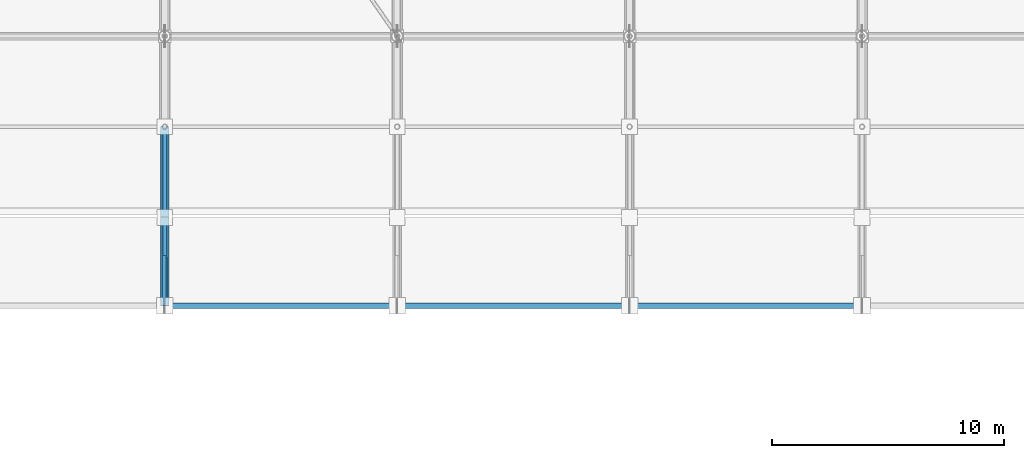
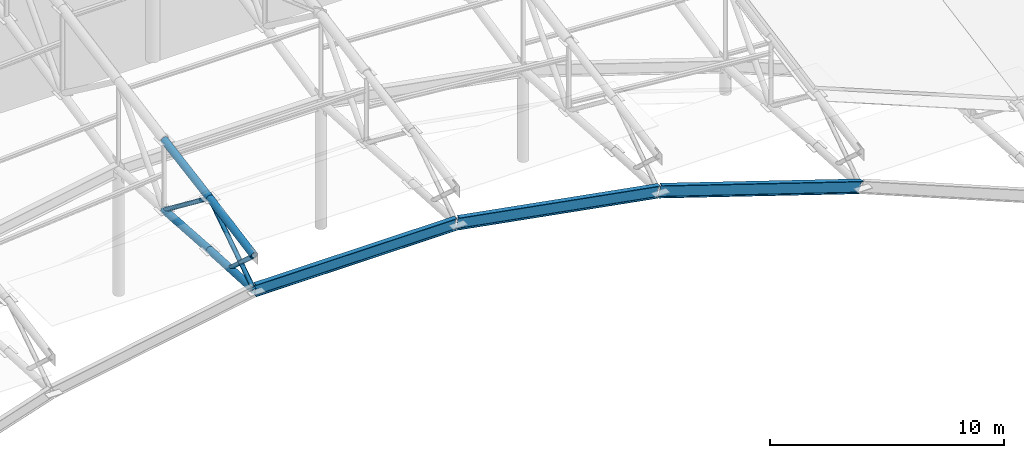
# One storey, part 56 of 146: 7 members, 3 beams.
"""IFC4 building model written with IfcOpenShell, lengths in metres."""

import ifcopenshell
import ifcopenshell.guid

model = None  # the IFC model being written
_history = None  # IfcOwnerHistory: only IFC2X3 demands one
_inside = {}  # id of a spatial element -> (the spatial element, [elements in it])
_under = {}  # id of a project, library or spatial element -> (it, [spatial elements below it])
_declared = {}  # id of a project -> (the project, [libraries it declares])
_typed = {}  # id of a type object -> (the type object, [elements of that type])
_made_of = {}  # id of a material, layer set ... -> (it, [elements and type objects made of it])


def new_model(schema):
    """Start an empty IFC model of exactly this schema.

    Asked for "IFC4X3", IfcOpenShell would pick the latest addendum, in which some entities
    have other attributes; the version numbers below select the first issue.
    IFC2X3 requires an IfcOwnerHistory on every rooted entity: one is made here for all.
    """
    global model, _history
    if schema == "IFC4X3":
        model = ifcopenshell.file(schema_version=(4, 3, 0, 0))
    else:
        model = ifcopenshell.file(schema=schema)
    _inside.clear()
    _under.clear()
    _declared.clear()
    _typed.clear()
    _made_of.clear()
    _history = None
    if model.schema == "IFC2X3":
        org = make("IfcOrganization", Name="unknown")
        user = make(
            "IfcPersonAndOrganization",
            ThePerson=make("IfcPerson", FamilyName="unknown"),
            TheOrganization=org,
        )
        app = make(
            "IfcApplication",
            ApplicationDeveloper=org,
            Version="unknown",
            ApplicationFullName="unknown",
            ApplicationIdentifier="unknown",
        )
        _history = make(
            "IfcOwnerHistory",
            OwningUser=user,
            OwningApplication=app,
            ChangeAction="ADDED",
            CreationDate=0,
        )
    return model


def make(cls, **values):
    """One entity of the class cls with the attributes given. An attribute that is None is left unset."""
    return model.create_entity(
        cls, **{name: value for name, value in values.items() if value is not None}
    )


def rooted(cls, **values):
    """An entity with a GlobalId (a new one), such as an element, a storey or a relation."""
    return make(cls, GlobalId=ifcopenshell.guid.new(), OwnerHistory=_history, **values)


def si_unit(unit_type, name, prefix=None):
    """IfcSIUnit, for example si_unit("LENGTHUNIT", "METRE", prefix="MILLI")."""
    return make("IfcSIUnit", UnitType=unit_type, Prefix=prefix, Name=name)


def assignment(units):
    """IfcUnitAssignment: the units of a project."""
    return None if units is None else make("IfcUnitAssignment", Units=units)


def point(xyz):
    """IfcCartesianPoint."""
    return None if xyz is None else make("IfcCartesianPoint", Coordinates=xyz)


def direction(xyz):
    """IfcDirection."""
    return None if xyz is None else make("IfcDirection", DirectionRatios=xyz)


def frame(location, z_axis=None, x_axis=None):
    """IfcAxis2Placement3D, a coordinate frame: its origin and axes. An axis left out is left unset."""
    return make(
        "IfcAxis2Placement3D",
        Location=point(location),
        Axis=direction(z_axis),
        RefDirection=direction(x_axis),
    )


def frame_2d(location, x_axis=None):
    """IfcAxis2Placement2D, a coordinate frame in the plane: its origin and x axis."""
    return make(
        "IfcAxis2Placement2D", Location=point(location), RefDirection=direction(x_axis)
    )


def origin():
    """The frame at (0, 0, 0) with its axes left unset."""
    return frame((0.0, 0.0, 0.0))


def origin_2d():
    """The frame at (0, 0) in the plane with its x axis left unset."""
    return frame_2d((0.0, 0.0))


def place(relative_to, where):
    """IfcLocalPlacement: puts the frame where relative to a parent placement (None: the world)."""
    return make(
        "IfcLocalPlacement", PlacementRelTo=relative_to, RelativePlacement=where
    )


def context(
    kind, dimensions, precision=None, world=None, true_north=None, identifier=None
):
    """IfcGeometricRepresentationContext, for example the 3D "Model" context."""
    return make(
        "IfcGeometricRepresentationContext",
        ContextIdentifier=identifier,
        ContextType=kind,
        CoordinateSpaceDimension=dimensions,
        Precision=precision,
        WorldCoordinateSystem=world,
        TrueNorth=true_north,
    )


def subcontext(parent, identifier, kind, view, scale=None):
    """IfcGeometricRepresentationSubContext, for example "Body" below "Model"."""
    return make(
        "IfcGeometricRepresentationSubContext",
        ContextIdentifier=identifier,
        ContextType=kind,
        ParentContext=parent,
        TargetScale=scale,
        TargetView=view,
    )


def project(units=None, contexts=None):
    """IfcProject with its units and contexts."""
    return rooted(
        "IfcProject",
        Name="project",
        RepresentationContexts=contexts,
        UnitsInContext=assignment(units),
    )


def spatial(cls, under=None, at=None, **own):
    """A site, building, storey or space (cls), placed at a placement, below another one or the project."""
    s = rooted(cls, ObjectPlacement=at, **own)
    if under is not None:
        _under.setdefault(under.id(), (under, []))[1].append(s)
    return s


def profile(cls, at=None, kind="AREA", **sizes):
    """A parametric profile (cls). Its sizes go by their IFC names, for example OverallWidth=200.0."""
    return make(cls, ProfileType=kind, Position=at, **sizes)


def hollow_circle(**sizes):
    """IfcCircleHollowProfileDef."""
    return profile("IfcCircleHollowProfileDef", **sizes)


def i_section(**sizes):
    """IfcIShapeProfileDef."""
    return profile("IfcIShapeProfileDef", **sizes)


def extrude(swept, where, along, depth):
    """IfcExtrudedAreaSolid: the profile swept, set in the frame where, extruded along a direction by depth."""
    return make(
        "IfcExtrudedAreaSolid",
        SweptArea=swept,
        Position=where,
        ExtrudedDirection=direction(along),
        Depth=depth,
    )


def shape(context_of_items, identifier, shape_type, items):
    """IfcShapeRepresentation: the items that make up one representation, for example the "Body"."""
    return make(
        "IfcShapeRepresentation",
        ContextOfItems=context_of_items,
        RepresentationIdentifier=identifier,
        RepresentationType=shape_type,
        Items=items,
    )


def material(Name=None, Category=None):
    """IfcMaterial."""
    return make("IfcMaterial", Name=Name, Category=Category)


def material_profile(
    of_material, cross_section, Name=None, Category=None, Priority=None
):
    """IfcMaterialProfile: a cross section and its material."""
    return make(
        "IfcMaterialProfile",
        Name=Name,
        Material=of_material,
        Profile=cross_section,
        Priority=Priority,
        Category=Category,
    )


def profile_set(profiles, Name=None, composite=None):
    """IfcMaterialProfileSet."""
    return make(
        "IfcMaterialProfileSet",
        Name=Name,
        MaterialProfiles=profiles,
        CompositeProfile=composite,
    )


def made_of(thing, what):
    """Note that an element or type object is made of a material, layer set ...; save() writes the relation."""
    if what is not None:
        _made_of.setdefault(what.id(), (what, []))[1].append(thing)
    return thing


def type_object(cls, material=None, **own):
    """A type object (cls), such as IfcWallType, which elements share."""
    return made_of(rooted(cls, **own), material)


def element(
    cls,
    number,
    at=None,
    inside=None,
    cuts=None,
    type_object=None,
    material=None,
    context=None,
    identifier="Body",
    shape_type=None,
    held_by="IfcProductDefinitionShape",
    body=None,
    shapes=None,
    **own,
):
    """One element of the class cls, such as IfcWall. Its Tag is "e" and its number.

    at: its placement. inside: the storey or other place that contains it. cuts: it is an
    opening in that element (IfcRelVoidsElement). A single representation is given by context,
    identifier, shape_type and body (its items); several are given by shapes. held_by: the class
    of the entity that holds the representations. save() writes the other relations.
    """
    e = rooted(cls, Tag="e%d" % number, ObjectPlacement=at, **own)
    if body is not None:
        shapes = [shape(context, identifier, shape_type, body)]
    if shapes is not None:
        e.Representation = make(held_by, Representations=shapes)
    if inside is not None:
        _inside.setdefault(inside.id(), (inside, []))[1].append(e)
    if cuts is not None:
        rooted(
            "IfcRelVoidsElement", RelatingBuildingElement=cuts, RelatedOpeningElement=e
        )
    if type_object is not None:
        _typed.setdefault(type_object.id(), (type_object, []))[1].append(e)
    return made_of(e, material)


def aggregate(whole, parts):
    """IfcRelAggregates: a whole, such as a stair, and the parts it consists of."""
    return rooted("IfcRelAggregates", RelatingObject=whole, RelatedObjects=parts)


def save(model, path):
    """Write the relations noted so far, then the file.

    IfcRelAggregates (storeys below a building ...), IfcRelContainedInSpatialStructure (elements
    in a storey), IfcRelDefinesByType, IfcRelAssociatesMaterial and IfcRelDeclares: one each for
    every whole, place, type object, material and project.
    """
    for whole, parts in _under.values():
        aggregate(whole, parts)
    for where, things in _inside.values():
        rooted(
            "IfcRelContainedInSpatialStructure",
            RelatedElements=things,
            RelatingStructure=where,
        )
    for kind, things in _typed.values():
        rooted("IfcRelDefinesByType", RelatedObjects=things, RelatingType=kind)
    for what, things in _made_of.values():
        rooted("IfcRelAssociatesMaterial", RelatedObjects=things, RelatingMaterial=what)
    for by, libraries in _declared.values():
        rooted("IfcRelDeclares", RelatingContext=by, RelatedDefinitions=libraries)
    model.write(path)


model = new_model("IFC4")

# Units and contexts
model_context = context("Model", 3, precision=1e-05, world=origin(), true_north=direction((0.0, 1.0)))
body_context = subcontext(model_context, "Body", "Model", "MODEL_VIEW")
ifc_project = project(units=[si_unit("LENGTHUNIT", "METRE"), si_unit("AREAUNIT", "SQUARE_METRE"), si_unit("VOLUMEUNIT", "CUBIC_METRE"), si_unit("PLANEANGLEUNIT", "RADIAN"), si_unit("MASSUNIT", "GRAM", prefix="KILO")], contexts=[model_context])

# Site, building, storey
site_placement = place(None, origin())
site = spatial("IfcSite", under=ifc_project, at=site_placement, CompositionType="ELEMENT")
building_placement = place(site_placement, origin())
building = spatial("IfcBuilding", under=site, at=building_placement, Name="Candeia Ridge Stadium", CompositionType="ELEMENT")
storey_placement = place(building_placement, frame((0.0, 0.0, 31.800048828125)))
storey = spatial("IfcBuildingStorey", under=building, at=storey_placement, Name="RF", CompositionType="ELEMENT", Elevation=31.800048828125)

# Beams
ifc_material = material(Name="Steel ASTM A572 Grade 50", Category="steel")
ifc_material_profile_1 = material_profile(ifc_material, i_section(OverallWidth=0.22998046875, OverallDepth=0.616943359375, WebThickness=0.01318359375, FlangeThickness=0.022216796875, FilletRadius=0.014892578125, at=origin_2d()), Name="W610x140", Category="steel")
ifc_profile_set_1 = profile_set([ifc_material_profile_1], Name="Steel ASTM A572 Grade 50")
beam_type = type_object("IfcBeamType", Name="Roof Inner Tension Ring Beam W610x140", PredefinedType="BEAM", material=ifc_profile_set_1)
beam_1_placement = place(storey_placement, frame((130.9619140625, 121.0, 2.130859375), z_axis=(-0.950452285368, 0.0, 0.310870476628), x_axis=(0.0, -1.0, 0.0)))
element("IfcBeam", 1, at=beam_1_placement, inside=storey, type_object=beam_type, Name="Roof inner tension ring beam bay 02", PredefinedType="BEAM", context=body_context, shape_type="SweptSolid", body=[
    extrude(i_section(OverallWidth=0.22998046875, OverallDepth=0.616943359375, WebThickness=0.01318359375, FlangeThickness=0.022216796875, FilletRadius=0.014892578125, at=origin_2d()), origin(), (0.0, 0.0, 1.0), 10.441162109375),
])
beam_2_placement = place(storey_placement, frame((120.960693359375, 121.0, 5.396240234375), z_axis=(-0.983924099588, 0.0, 0.178587139095), x_axis=(0.0, -1.0, 0.0)))
element("IfcBeam", 2, at=beam_2_placement, inside=storey, type_object=beam_type, Name="Roof inner tension ring beam bay 03", PredefinedType="BEAM", context=body_context, shape_type="SweptSolid", body=[
    extrude(i_section(OverallWidth=0.22998046875, OverallDepth=0.616943359375, WebThickness=0.01318359375, FlangeThickness=0.022216796875, FilletRadius=0.014892578125, at=origin_2d()), origin(), (0.0, 0.0, 1.0), 10.08349609375),
])
beam_3_placement = place(storey_placement, frame((110.9599609375, 121.0, 7.204345703125), z_axis=(-1.0, 0.0, 0.0), x_axis=(0.0, -1.0, 0.0)))
element("IfcBeam", 3, at=beam_3_placement, inside=storey, type_object=beam_type, Name="Roof inner tension ring beam bay 04", PredefinedType="BEAM", context=body_context, shape_type="SweptSolid", body=[
    extrude(i_section(OverallWidth=0.22998046875, OverallDepth=0.616943359375, WebThickness=0.01318359375, FlangeThickness=0.022216796875, FilletRadius=0.014892578125, at=origin_2d()), origin(), (0.0, 0.0, 1.0), 9.919921875),
])

# Members
ifc_material_profile_2 = material_profile(ifc_material, hollow_circle(Radius=0.109619140625, WallThickness=0.010009765625, at=origin_2d()), Name="CHS219x10", Category="steel")
ifc_profile_set_2 = profile_set([ifc_material_profile_2], Name="Steel ASTM A572 Grade 50")
member_type_1 = type_object("IfcMemberType", Name="Roof Truss Inner Web Brace CHS219x10", PredefinedType="BRACE", material=ifc_profile_set_2)
member_1_placement = place(storey_placement, frame((101.0, 121.0, 7.204345703125), z_axis=(0.0, 0.835124576935, 0.550060852087), x_axis=(-1.0, 0.0, 0.0)))
element("IfcMember", 4, at=member_1_placement, inside=storey, type_object=member_type_1, Name="Roof cantilever truss RT-05 diagonal web 1", PredefinedType="BRACE", context=body_context, shape_type="SweptSolid", body=[
    extrude(hollow_circle(Radius=0.109619140625, WallThickness=0.010009765625, at=origin_2d()), origin(), (0.0, 0.0, 1.0), 4.55029296875),
])
member_2_placement = place(storey_placement, frame((101.0, 124.800048828125, 9.707275390625), z_axis=(0.0, 0.793887844601, -0.608064215519), x_axis=(-1.0, 0.0, 0.0)))
element("IfcMember", 5, at=member_2_placement, inside=storey, type_object=member_type_1, Name="Roof cantilever truss RT-05 diagonal web 2", PredefinedType="BRACE", context=body_context, shape_type="SweptSolid", body=[
    extrude(hollow_circle(Radius=0.109619140625, WallThickness=0.010009765625, at=origin_2d()), origin(), (0.0, 0.0, 1.0), 4.912353515625),
])
member_3_placement = place(storey_placement, frame((101.0, 123.090087890625, 7.08642578125), z_axis=(0.0, -0.736836090738, 0.676071427725), x_axis=(1.0, 0.0, 0.0)))
element("IfcMember", 6, at=member_3_placement, inside=storey, type_object=member_type_1, Name="Roof cantilever truss RT-05 vertical post 0", PredefinedType="BRACE", context=body_context, shape_type="SweptSolid", body=[
    extrude(hollow_circle(Radius=0.109619140625, WallThickness=0.010009765625, at=origin_2d()), origin(), (0.0, 0.0, 1.0), 2.836669921875),
])
ifc_material_profile_3 = material_profile(ifc_material, hollow_circle(Radius=0.177734375, WallThickness=0.01416015625, at=origin_2d()), Name="CHS355x14", Category="steel")
ifc_profile_set_3 = profile_set([ifc_material_profile_3], Name="Steel ASTM A572 Grade 50")
member_type_2 = type_object("IfcMemberType", Name="Roof Truss Tip Chord CHS355x14", PredefinedType="CHORD", material=ifc_profile_set_3)
member_4_placement = place(storey_placement, frame((101.0, 121.0, 9.004150390625), z_axis=(0.0, 0.983309224326, 0.181942214331), x_axis=(-1.0, 0.0, 0.0)))
element("IfcMember", 7, at=member_4_placement, inside=storey, type_object=member_type_2, Name="Roof cantilever truss RT-05 top chord 1", PredefinedType="CHORD", context=body_context, shape_type="SweptSolid", body=[
    extrude(hollow_circle(Radius=0.177734375, WallThickness=0.01416015625, at=origin_2d()), origin(), (0.0, 0.0, 1.0), 3.864501953125),
])
member_5_placement = place(storey_placement, frame((101.0, 121.0, 7.204345703125), z_axis=(0.0, 0.99841282113, -0.056319078506), x_axis=(-1.0, 0.0, 0.0)))
element("IfcMember", 8, at=member_5_placement, inside=storey, type_object=member_type_2, Name="Roof cantilever truss RT-05 bottom chord 1", PredefinedType="CHORD", context=body_context, shape_type="SweptSolid", body=[
    extrude(hollow_circle(Radius=0.177734375, WallThickness=0.01416015625, at=origin_2d()), origin(), (0.0, 0.0, 1.0), 3.80615234375),
])
member_6_placement = place(storey_placement, frame((101.0, 124.800048828125, 9.707275390625), z_axis=(0.0, 0.985502828795, 0.169658994565), x_axis=(-1.0, 0.0, 0.0)))
element("IfcMember", 9, at=member_6_placement, inside=storey, type_object=member_type_2, Name="Roof cantilever truss RT-05 top chord 2", PredefinedType="CHORD", context=body_context, shape_type="SweptSolid", body=[
    extrude(hollow_circle(Radius=0.177734375, WallThickness=0.01416015625, at=origin_2d()), origin(), (0.0, 0.0, 1.0), 3.957275390625),
])
member_7_placement = place(storey_placement, frame((101.0, 124.800048828125, 6.989990234375), z_axis=(0.0, 0.997615968556, -0.069009994069), x_axis=(-1.0, 0.0, 0.0)))
element("IfcMember", 10, at=member_7_placement, inside=storey, type_object=member_type_2, Name="Roof cantilever truss RT-05 bottom chord 2", PredefinedType="CHORD", context=body_context, shape_type="SweptSolid", body=[
    extrude(hollow_circle(Radius=0.177734375, WallThickness=0.01416015625, at=origin_2d()), origin(), (0.0, 0.0, 1.0), 3.9091796875),
])

save(model, "model.ifc")
